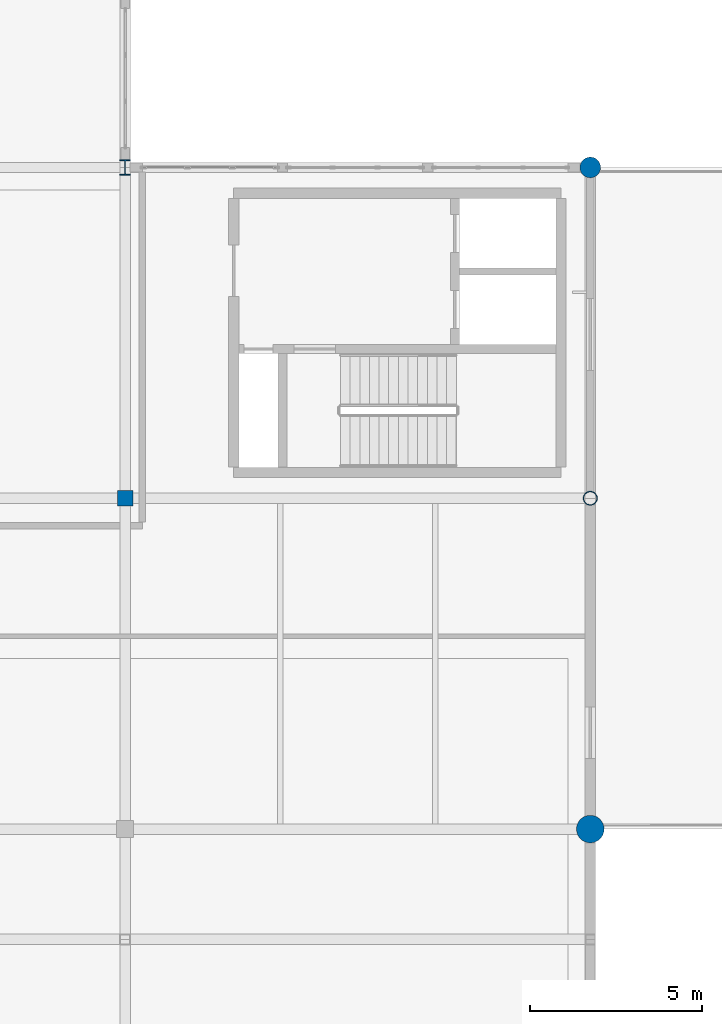
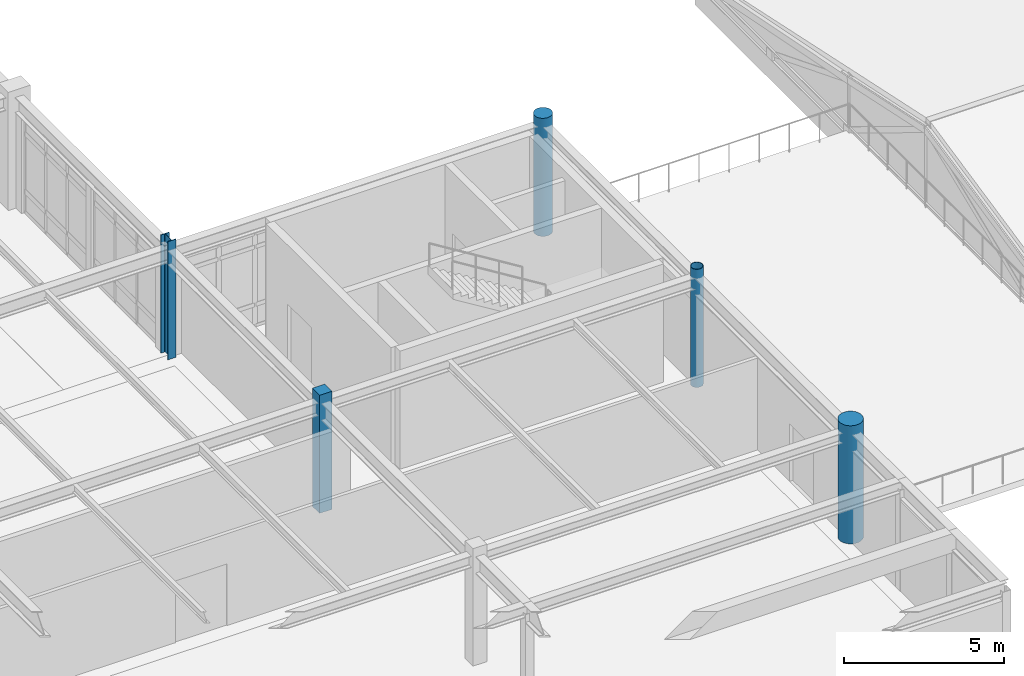
# One storey, part 4 of 61: 5 columns.
"""IFC4 building model written with IfcOpenShell, lengths in metres."""

import ifcopenshell
import ifcopenshell.guid

model = None  # the IFC model being written
_history = None  # IfcOwnerHistory: only IFC2X3 demands one
_inside = {}  # id of a spatial element -> (the spatial element, [elements in it])
_under = {}  # id of a project, library or spatial element -> (it, [spatial elements below it])
_declared = {}  # id of a project -> (the project, [libraries it declares])
_typed = {}  # id of a type object -> (the type object, [elements of that type])
_made_of = {}  # id of a material, layer set ... -> (it, [elements and type objects made of it])


def new_model(schema):
    """Start an empty IFC model of exactly this schema.

    Asked for "IFC4X3", IfcOpenShell would pick the latest addendum, in which some entities
    have other attributes; the version numbers below select the first issue.
    IFC2X3 requires an IfcOwnerHistory on every rooted entity: one is made here for all.
    """
    global model, _history
    if schema == "IFC4X3":
        model = ifcopenshell.file(schema_version=(4, 3, 0, 0))
    else:
        model = ifcopenshell.file(schema=schema)
    _inside.clear()
    _under.clear()
    _declared.clear()
    _typed.clear()
    _made_of.clear()
    _history = None
    if model.schema == "IFC2X3":
        org = make("IfcOrganization", Name="unknown")
        user = make(
            "IfcPersonAndOrganization",
            ThePerson=make("IfcPerson", FamilyName="unknown"),
            TheOrganization=org,
        )
        app = make(
            "IfcApplication",
            ApplicationDeveloper=org,
            Version="unknown",
            ApplicationFullName="unknown",
            ApplicationIdentifier="unknown",
        )
        _history = make(
            "IfcOwnerHistory",
            OwningUser=user,
            OwningApplication=app,
            ChangeAction="ADDED",
            CreationDate=0,
        )
    return model


def make(cls, **values):
    """One entity of the class cls with the attributes given. An attribute that is None is left unset."""
    return model.create_entity(
        cls, **{name: value for name, value in values.items() if value is not None}
    )


def rooted(cls, **values):
    """An entity with a GlobalId (a new one), such as an element, a storey or a relation."""
    return make(cls, GlobalId=ifcopenshell.guid.new(), OwnerHistory=_history, **values)


def si_unit(unit_type, name, prefix=None):
    """IfcSIUnit, for example si_unit("LENGTHUNIT", "METRE", prefix="MILLI")."""
    return make("IfcSIUnit", UnitType=unit_type, Prefix=prefix, Name=name)


def assignment(units):
    """IfcUnitAssignment: the units of a project."""
    return None if units is None else make("IfcUnitAssignment", Units=units)


def point(xyz):
    """IfcCartesianPoint."""
    return None if xyz is None else make("IfcCartesianPoint", Coordinates=xyz)


def direction(xyz):
    """IfcDirection."""
    return None if xyz is None else make("IfcDirection", DirectionRatios=xyz)


def frame(location, z_axis=None, x_axis=None):
    """IfcAxis2Placement3D, a coordinate frame: its origin and axes. An axis left out is left unset."""
    return make(
        "IfcAxis2Placement3D",
        Location=point(location),
        Axis=direction(z_axis),
        RefDirection=direction(x_axis),
    )


def frame_2d(location, x_axis=None):
    """IfcAxis2Placement2D, a coordinate frame in the plane: its origin and x axis."""
    return make(
        "IfcAxis2Placement2D", Location=point(location), RefDirection=direction(x_axis)
    )


def origin():
    """The frame at (0, 0, 0) with its axes left unset."""
    return frame((0.0, 0.0, 0.0))


def origin_2d():
    """The frame at (0, 0) in the plane with its x axis left unset."""
    return frame_2d((0.0, 0.0))


def place(relative_to, where):
    """IfcLocalPlacement: puts the frame where relative to a parent placement (None: the world)."""
    return make(
        "IfcLocalPlacement", PlacementRelTo=relative_to, RelativePlacement=where
    )


def context(
    kind, dimensions, precision=None, world=None, true_north=None, identifier=None
):
    """IfcGeometricRepresentationContext, for example the 3D "Model" context."""
    return make(
        "IfcGeometricRepresentationContext",
        ContextIdentifier=identifier,
        ContextType=kind,
        CoordinateSpaceDimension=dimensions,
        Precision=precision,
        WorldCoordinateSystem=world,
        TrueNorth=true_north,
    )


def subcontext(parent, identifier, kind, view, scale=None):
    """IfcGeometricRepresentationSubContext, for example "Body" below "Model"."""
    return make(
        "IfcGeometricRepresentationSubContext",
        ContextIdentifier=identifier,
        ContextType=kind,
        ParentContext=parent,
        TargetScale=scale,
        TargetView=view,
    )


def project(units=None, contexts=None):
    """IfcProject with its units and contexts."""
    return rooted(
        "IfcProject",
        Name="project",
        RepresentationContexts=contexts,
        UnitsInContext=assignment(units),
    )


def spatial(cls, under=None, at=None, **own):
    """A site, building, storey or space (cls), placed at a placement, below another one or the project."""
    s = rooted(cls, ObjectPlacement=at, **own)
    if under is not None:
        _under.setdefault(under.id(), (under, []))[1].append(s)
    return s


def profile(cls, at=None, kind="AREA", **sizes):
    """A parametric profile (cls). Its sizes go by their IFC names, for example OverallWidth=200.0."""
    return make(cls, ProfileType=kind, Position=at, **sizes)


def rectangle(**sizes):
    """IfcRectangleProfileDef."""
    return profile("IfcRectangleProfileDef", **sizes)


def circle(**sizes):
    """IfcCircleProfileDef."""
    return profile("IfcCircleProfileDef", **sizes)


def hollow_circle(**sizes):
    """IfcCircleHollowProfileDef."""
    return profile("IfcCircleHollowProfileDef", **sizes)


def i_section(**sizes):
    """IfcIShapeProfileDef."""
    return profile("IfcIShapeProfileDef", **sizes)


def extrude(swept, where, along, depth):
    """IfcExtrudedAreaSolid: the profile swept, set in the frame where, extruded along a direction by depth."""
    return make(
        "IfcExtrudedAreaSolid",
        SweptArea=swept,
        Position=where,
        ExtrudedDirection=direction(along),
        Depth=depth,
    )


def shape(context_of_items, identifier, shape_type, items):
    """IfcShapeRepresentation: the items that make up one representation, for example the "Body"."""
    return make(
        "IfcShapeRepresentation",
        ContextOfItems=context_of_items,
        RepresentationIdentifier=identifier,
        RepresentationType=shape_type,
        Items=items,
    )


def material(Name=None, Category=None):
    """IfcMaterial."""
    return make("IfcMaterial", Name=Name, Category=Category)


def material_profile(
    of_material, cross_section, Name=None, Category=None, Priority=None
):
    """IfcMaterialProfile: a cross section and its material."""
    return make(
        "IfcMaterialProfile",
        Name=Name,
        Material=of_material,
        Profile=cross_section,
        Priority=Priority,
        Category=Category,
    )


def profile_set(profiles, Name=None, composite=None):
    """IfcMaterialProfileSet."""
    return make(
        "IfcMaterialProfileSet",
        Name=Name,
        MaterialProfiles=profiles,
        CompositeProfile=composite,
    )


def made_of(thing, what):
    """Note that an element or type object is made of a material, layer set ...; save() writes the relation."""
    if what is not None:
        _made_of.setdefault(what.id(), (what, []))[1].append(thing)
    return thing


def type_object(cls, material=None, **own):
    """A type object (cls), such as IfcWallType, which elements share."""
    return made_of(rooted(cls, **own), material)


def element(
    cls,
    number,
    at=None,
    inside=None,
    cuts=None,
    type_object=None,
    material=None,
    context=None,
    identifier="Body",
    shape_type=None,
    held_by="IfcProductDefinitionShape",
    body=None,
    shapes=None,
    **own,
):
    """One element of the class cls, such as IfcWall. Its Tag is "e" and its number.

    at: its placement. inside: the storey or other place that contains it. cuts: it is an
    opening in that element (IfcRelVoidsElement). A single representation is given by context,
    identifier, shape_type and body (its items); several are given by shapes. held_by: the class
    of the entity that holds the representations. save() writes the other relations.
    """
    e = rooted(cls, Tag="e%d" % number, ObjectPlacement=at, **own)
    if body is not None:
        shapes = [shape(context, identifier, shape_type, body)]
    if shapes is not None:
        e.Representation = make(held_by, Representations=shapes)
    if inside is not None:
        _inside.setdefault(inside.id(), (inside, []))[1].append(e)
    if cuts is not None:
        rooted(
            "IfcRelVoidsElement", RelatingBuildingElement=cuts, RelatedOpeningElement=e
        )
    if type_object is not None:
        _typed.setdefault(type_object.id(), (type_object, []))[1].append(e)
    return made_of(e, material)


def aggregate(whole, parts):
    """IfcRelAggregates: a whole, such as a stair, and the parts it consists of."""
    return rooted("IfcRelAggregates", RelatingObject=whole, RelatedObjects=parts)


def save(model, path):
    """Write the relations noted so far, then the file.

    IfcRelAggregates (storeys below a building ...), IfcRelContainedInSpatialStructure (elements
    in a storey), IfcRelDefinesByType, IfcRelAssociatesMaterial and IfcRelDeclares: one each for
    every whole, place, type object, material and project.
    """
    for whole, parts in _under.values():
        aggregate(whole, parts)
    for where, things in _inside.values():
        rooted(
            "IfcRelContainedInSpatialStructure",
            RelatedElements=things,
            RelatingStructure=where,
        )
    for kind, things in _typed.values():
        rooted("IfcRelDefinesByType", RelatedObjects=things, RelatingType=kind)
    for what, things in _made_of.values():
        rooted("IfcRelAssociatesMaterial", RelatedObjects=things, RelatingMaterial=what)
    for by, libraries in _declared.values():
        rooted("IfcRelDeclares", RelatingContext=by, RelatedDefinitions=libraries)
    model.write(path)


model = new_model("IFC4")

# Units and contexts
model_context = context("Model", 3, precision=1e-05, world=origin(), true_north=direction((0.0, 1.0)))
body_context = subcontext(model_context, "Body", "Model", "MODEL_VIEW")
ifc_project = project(units=[si_unit("LENGTHUNIT", "METRE"), si_unit("AREAUNIT", "SQUARE_METRE"), si_unit("VOLUMEUNIT", "CUBIC_METRE"), si_unit("PLANEANGLEUNIT", "RADIAN"), si_unit("MASSUNIT", "GRAM", prefix="KILO")], contexts=[model_context])

# Site, building, storey
site_placement = place(None, origin())
site = spatial("IfcSite", under=ifc_project, at=site_placement, CompositionType="ELEMENT")
building_placement = place(site_placement, origin())
building = spatial("IfcBuilding", under=site, at=building_placement, Name="Fikremerkos Civic Library", CompositionType="ELEMENT")
storey_placement = place(building_placement, frame((0.0, 0.0, 14.39990234375)))
storey = spatial("IfcBuildingStorey", under=building, at=storey_placement, Name="L03", CompositionType="ELEMENT", Elevation=14.39990234375)

# Columns
ifc_material_1 = material(Name="Concrete C40/50", Category="concrete")
ifc_material_profile_1 = material_profile(ifc_material_1, rectangle(XDim=0.449951171875, YDim=0.449951171875, at=origin_2d()), Name="RC 450x450")
ifc_profile_set_1 = profile_set([ifc_material_profile_1], Name="Concrete C40/50")
column_type_1 = type_object("IfcColumnType", Name="Structural column COL-12 RC 450x450", PredefinedType="COLUMN", material=ifc_profile_set_1)
column_1_placement = place(storey_placement, frame((100.199951171875, 21.60009765625, 0.0), z_axis=(0.0, 0.0, 1.0), x_axis=(1.0, 0.0, 0.0)))
element("IfcColumn", 1, at=column_1_placement, inside=storey, type_object=column_type_1, Name="Column COL-12 L03 9/F", PredefinedType="COLUMN", context=body_context, shape_type="SweptSolid", body=[
    extrude(rectangle(XDim=0.449951171875, YDim=0.449951171875, at=origin_2d()), origin(), (0.0, 0.0, 1.0), 4.5),
])
ifc_material_profile_2 = material_profile(ifc_material_1, circle(Radius=0.39990234375, at=origin_2d()), Name="RC D800")
ifc_profile_set_2 = profile_set([ifc_material_profile_2], Name="Concrete C40/50")
column_type_2 = type_object("IfcColumnType", Name="Structural column COL-18 RC D800", PredefinedType="COLUMN", material=ifc_profile_set_2)
column_2_placement = place(storey_placement, frame((113.699951171875, 12.0, 0.0), z_axis=(0.0, 0.0, 1.0), x_axis=(1.0, 0.0, 0.0)))
element("IfcColumn", 2, at=column_2_placement, inside=storey, type_object=column_type_2, Name="Column COL-18 L03 10/E", PredefinedType="COLUMN", context=body_context, shape_type="SweptSolid", body=[
    extrude(circle(Radius=0.39990234375, at=origin_2d()), origin(), (0.0, 0.0, 1.0), 4.5),
])
ifc_material_profile_3 = material_profile(ifc_material_1, circle(Radius=0.300048828125, at=origin_2d()), Name="RC D600")
ifc_profile_set_3 = profile_set([ifc_material_profile_3], Name="Concrete C40/50")
column_type_3 = type_object("IfcColumnType", Name="Structural column COL-20 RC D600", PredefinedType="COLUMN", material=ifc_profile_set_3)
column_3_placement = place(storey_placement, frame((113.699951171875, 31.199951171875, 0.0), z_axis=(0.0, 0.0, 1.0), x_axis=(1.0, 0.0, 0.0)))
element("IfcColumn", 3, at=column_3_placement, inside=storey, type_object=column_type_3, Name="Column COL-20 L03 10/G", PredefinedType="COLUMN", context=body_context, shape_type="SweptSolid", body=[
    extrude(circle(Radius=0.300048828125, at=origin_2d()), origin(), (0.0, 0.0, 1.0), 4.5),
])
ifc_material_2 = material(Name="Steel S355", Category="steel")
ifc_material_profile_4 = material_profile(ifc_material_2, i_section(OverallWidth=0.300048828125, OverallDepth=0.449951171875, WebThickness=0.013916015625, FlangeThickness=0.02587890625, FilletRadius=0.027099609375, at=origin_2d()), Name="HEB 450")
ifc_profile_set_4 = profile_set([ifc_material_profile_4], Name="Steel S355")
column_type_4 = type_object("IfcColumnType", Name="Structural column COL-23 HEB 450", PredefinedType="COLUMN", material=ifc_profile_set_4)
column_4_placement = place(storey_placement, frame((100.199951171875, 31.199951171875, 0.0), z_axis=(0.0, 0.0, 1.0), x_axis=(1.0, 0.0, 0.0)))
element("IfcColumn", 4, at=column_4_placement, inside=storey, type_object=column_type_4, Name="Column COL-23 L03 9/G", PredefinedType="COLUMN", context=body_context, shape_type="SweptSolid", body=[
    extrude(i_section(OverallWidth=0.300048828125, OverallDepth=0.449951171875, WebThickness=0.013916015625, FlangeThickness=0.02587890625, FilletRadius=0.027099609375, at=origin_2d()), origin(), (0.0, 0.0, 1.0), 4.5),
])
ifc_material_profile_5 = material_profile(ifc_material_2, hollow_circle(Radius=0.203125, WallThickness=0.01611328125, at=origin_2d()), Name="CHS 406.4x16")
ifc_profile_set_5 = profile_set([ifc_material_profile_5], Name="Steel S355")
column_type_5 = type_object("IfcColumnType", Name="Structural column COL-29 CHS 406.4x16", PredefinedType="COLUMN", material=ifc_profile_set_5)
column_5_placement = place(storey_placement, frame((113.699951171875, 21.60009765625, 0.0), z_axis=(0.0, 0.0, 1.0), x_axis=(1.0, 0.0, 0.0)))
element("IfcColumn", 5, at=column_5_placement, inside=storey, type_object=column_type_5, Name="Column COL-29 L03 10/F", PredefinedType="COLUMN", context=body_context, shape_type="SweptSolid", body=[
    extrude(hollow_circle(Radius=0.203125, WallThickness=0.01611328125, at=origin_2d()), origin(), (0.0, 0.0, 1.0), 4.5),
])

save(model, "model.ifc")
